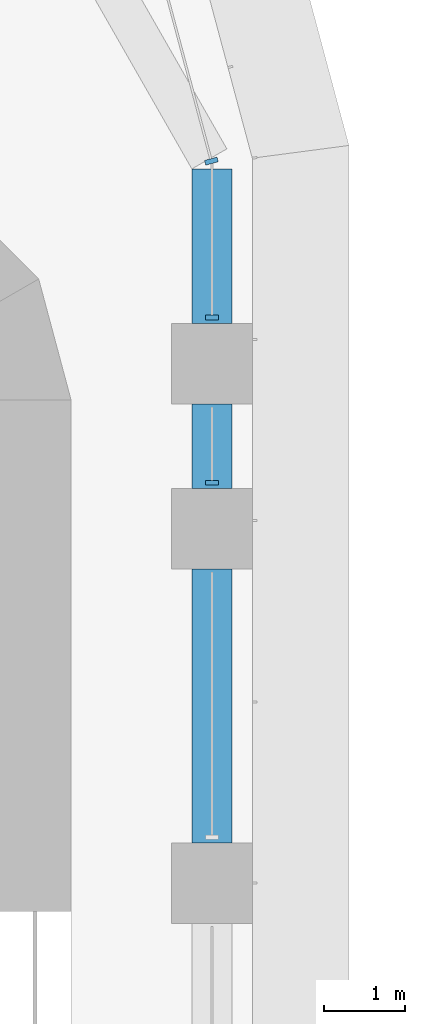
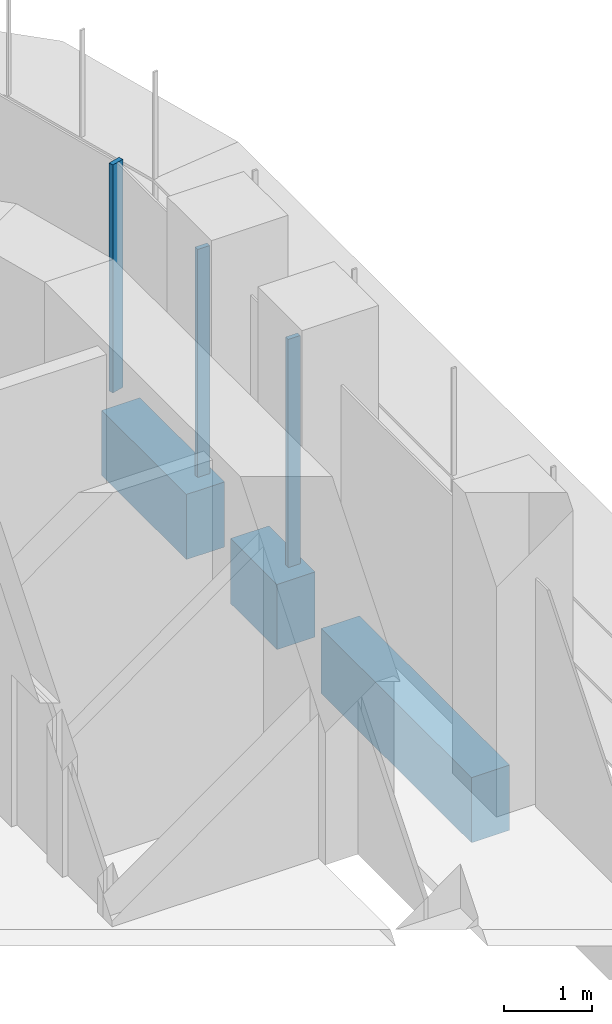
# One storey, part 10 of 23: 3 beams, 3 members, 2 elements without a shape of their own.
"""IFC4 building model written with IfcOpenShell, lengths in metres."""

import ifcopenshell
import ifcopenshell.guid

model = None  # the IFC model being written
_history = None  # IfcOwnerHistory: only IFC2X3 demands one
_inside = {}  # id of a spatial element -> (the spatial element, [elements in it])
_under = {}  # id of a project, library or spatial element -> (it, [spatial elements below it])
_declared = {}  # id of a project -> (the project, [libraries it declares])
_typed = {}  # id of a type object -> (the type object, [elements of that type])
_made_of = {}  # id of a material, layer set ... -> (it, [elements and type objects made of it])


def new_model(schema):
    """Start an empty IFC model of exactly this schema.

    Asked for "IFC4X3", IfcOpenShell would pick the latest addendum, in which some entities
    have other attributes; the version numbers below select the first issue.
    IFC2X3 requires an IfcOwnerHistory on every rooted entity: one is made here for all.
    """
    global model, _history
    if schema == "IFC4X3":
        model = ifcopenshell.file(schema_version=(4, 3, 0, 0))
    else:
        model = ifcopenshell.file(schema=schema)
    _inside.clear()
    _under.clear()
    _declared.clear()
    _typed.clear()
    _made_of.clear()
    _history = None
    if model.schema == "IFC2X3":
        org = make("IfcOrganization", Name="unknown")
        user = make(
            "IfcPersonAndOrganization",
            ThePerson=make("IfcPerson", FamilyName="unknown"),
            TheOrganization=org,
        )
        app = make(
            "IfcApplication",
            ApplicationDeveloper=org,
            Version="unknown",
            ApplicationFullName="unknown",
            ApplicationIdentifier="unknown",
        )
        _history = make(
            "IfcOwnerHistory",
            OwningUser=user,
            OwningApplication=app,
            ChangeAction="ADDED",
            CreationDate=0,
        )
    return model


def make(cls, **values):
    """One entity of the class cls with the attributes given. An attribute that is None is left unset."""
    return model.create_entity(
        cls, **{name: value for name, value in values.items() if value is not None}
    )


def rooted(cls, **values):
    """An entity with a GlobalId (a new one), such as an element, a storey or a relation."""
    return make(cls, GlobalId=ifcopenshell.guid.new(), OwnerHistory=_history, **values)


def si_unit(unit_type, name, prefix=None):
    """IfcSIUnit, for example si_unit("LENGTHUNIT", "METRE", prefix="MILLI")."""
    return make("IfcSIUnit", UnitType=unit_type, Prefix=prefix, Name=name)


def assignment(units):
    """IfcUnitAssignment: the units of a project."""
    return None if units is None else make("IfcUnitAssignment", Units=units)


def point(xyz):
    """IfcCartesianPoint."""
    return None if xyz is None else make("IfcCartesianPoint", Coordinates=xyz)


def direction(xyz):
    """IfcDirection."""
    return None if xyz is None else make("IfcDirection", DirectionRatios=xyz)


def frame(location, z_axis=None, x_axis=None):
    """IfcAxis2Placement3D, a coordinate frame: its origin and axes. An axis left out is left unset."""
    return make(
        "IfcAxis2Placement3D",
        Location=point(location),
        Axis=direction(z_axis),
        RefDirection=direction(x_axis),
    )


def frame_2d(location, x_axis=None):
    """IfcAxis2Placement2D, a coordinate frame in the plane: its origin and x axis."""
    return make(
        "IfcAxis2Placement2D", Location=point(location), RefDirection=direction(x_axis)
    )


def origin():
    """The frame at (0, 0, 0) with its axes left unset."""
    return frame((0.0, 0.0, 0.0))


def origin_2d():
    """The frame at (0, 0) in the plane with its x axis left unset."""
    return frame_2d((0.0, 0.0))


def place(relative_to, where):
    """IfcLocalPlacement: puts the frame where relative to a parent placement (None: the world)."""
    return make(
        "IfcLocalPlacement", PlacementRelTo=relative_to, RelativePlacement=where
    )


def context(
    kind, dimensions, precision=None, world=None, true_north=None, identifier=None
):
    """IfcGeometricRepresentationContext, for example the 3D "Model" context."""
    return make(
        "IfcGeometricRepresentationContext",
        ContextIdentifier=identifier,
        ContextType=kind,
        CoordinateSpaceDimension=dimensions,
        Precision=precision,
        WorldCoordinateSystem=world,
        TrueNorth=true_north,
    )


def subcontext(parent, identifier, kind, view, scale=None):
    """IfcGeometricRepresentationSubContext, for example "Body" below "Model"."""
    return make(
        "IfcGeometricRepresentationSubContext",
        ContextIdentifier=identifier,
        ContextType=kind,
        ParentContext=parent,
        TargetScale=scale,
        TargetView=view,
    )


def project(units=None, contexts=None):
    """IfcProject with its units and contexts."""
    return rooted(
        "IfcProject",
        Name="project",
        RepresentationContexts=contexts,
        UnitsInContext=assignment(units),
    )


def spatial(cls, under=None, at=None, **own):
    """A site, building, storey or space (cls), placed at a placement, below another one or the project."""
    s = rooted(cls, ObjectPlacement=at, **own)
    if under is not None:
        _under.setdefault(under.id(), (under, []))[1].append(s)
    return s


def polyline(points):
    """IfcPolyline through the points."""
    return make("IfcPolyline", Points=[point(p) for p in points])


def profile(cls, at=None, kind="AREA", **sizes):
    """A parametric profile (cls). Its sizes go by their IFC names, for example OverallWidth=200.0."""
    return make(cls, ProfileType=kind, Position=at, **sizes)


def rectangle(**sizes):
    """IfcRectangleProfileDef."""
    return profile("IfcRectangleProfileDef", **sizes)


def outline(outer, holes=None, kind="AREA"):
    """IfcArbitraryClosedProfileDef: a profile drawn as a closed curve; with holes, ...WithVoids."""
    if holes is None:
        return make("IfcArbitraryClosedProfileDef", ProfileType=kind, OuterCurve=outer)
    return make(
        "IfcArbitraryProfileDefWithVoids",
        ProfileType=kind,
        OuterCurve=outer,
        InnerCurves=holes,
    )


def extrude(swept, where, along, depth):
    """IfcExtrudedAreaSolid: the profile swept, set in the frame where, extruded along a direction by depth."""
    return make(
        "IfcExtrudedAreaSolid",
        SweptArea=swept,
        Position=where,
        ExtrudedDirection=direction(along),
        Depth=depth,
    )


def shape(context_of_items, identifier, shape_type, items):
    """IfcShapeRepresentation: the items that make up one representation, for example the "Body"."""
    return make(
        "IfcShapeRepresentation",
        ContextOfItems=context_of_items,
        RepresentationIdentifier=identifier,
        RepresentationType=shape_type,
        Items=items,
    )


def source(mapping_origin, context_of_items, identifier, shape_type, items):
    """IfcRepresentationMap: a shape defined once, which mapped items show again and again."""
    return make(
        "IfcRepresentationMap",
        MappingOrigin=mapping_origin,
        MappedRepresentation=shape(context_of_items, identifier, shape_type, items),
    )


def transform(
    local_origin,
    x_axis=None,
    y_axis=None,
    z_axis=None,
    scale=None,
    scale2=None,
    scale3=None,
    uniform=True,
):
    """IfcCartesianTransformationOperator3D, or its non-uniform kind. x_axis, y_axis, z_axis: its Axis1, 2, 3."""
    if uniform:
        return make(
            "IfcCartesianTransformationOperator3D",
            Axis1=direction(x_axis),
            Axis2=direction(y_axis),
            LocalOrigin=point(local_origin),
            Scale=scale,
            Axis3=direction(z_axis),
        )
    return make(
        "IfcCartesianTransformationOperator3DnonUniform",
        Axis1=direction(x_axis),
        Axis2=direction(y_axis),
        LocalOrigin=point(local_origin),
        Scale=scale,
        Axis3=direction(z_axis),
        Scale2=scale2,
        Scale3=scale3,
    )


def mapped(mapping_source, mapping_target):
    """IfcMappedItem: shows the shape of a source again, moved by a transform."""
    return make(
        "IfcMappedItem", MappingSource=mapping_source, MappingTarget=mapping_target
    )


def material(Name=None, Category=None):
    """IfcMaterial."""
    return make("IfcMaterial", Name=Name, Category=Category)


def material_profile(
    of_material, cross_section, Name=None, Category=None, Priority=None
):
    """IfcMaterialProfile: a cross section and its material."""
    return make(
        "IfcMaterialProfile",
        Name=Name,
        Material=of_material,
        Profile=cross_section,
        Priority=Priority,
        Category=Category,
    )


def profile_set(profiles, Name=None, composite=None):
    """IfcMaterialProfileSet."""
    return make(
        "IfcMaterialProfileSet",
        Name=Name,
        MaterialProfiles=profiles,
        CompositeProfile=composite,
    )


def made_of(thing, what):
    """Note that an element or type object is made of a material, layer set ...; save() writes the relation."""
    if what is not None:
        _made_of.setdefault(what.id(), (what, []))[1].append(thing)
    return thing


def type_object(cls, material=None, **own):
    """A type object (cls), such as IfcWallType, which elements share."""
    return made_of(rooted(cls, **own), material)


def element(
    cls,
    number,
    at=None,
    inside=None,
    cuts=None,
    type_object=None,
    material=None,
    context=None,
    identifier="Body",
    shape_type=None,
    held_by="IfcProductDefinitionShape",
    body=None,
    shapes=None,
    **own,
):
    """One element of the class cls, such as IfcWall. Its Tag is "e" and its number.

    at: its placement. inside: the storey or other place that contains it. cuts: it is an
    opening in that element (IfcRelVoidsElement). A single representation is given by context,
    identifier, shape_type and body (its items); several are given by shapes. held_by: the class
    of the entity that holds the representations. save() writes the other relations.
    """
    e = rooted(cls, Tag="e%d" % number, ObjectPlacement=at, **own)
    if body is not None:
        shapes = [shape(context, identifier, shape_type, body)]
    if shapes is not None:
        e.Representation = make(held_by, Representations=shapes)
    if inside is not None:
        _inside.setdefault(inside.id(), (inside, []))[1].append(e)
    if cuts is not None:
        rooted(
            "IfcRelVoidsElement", RelatingBuildingElement=cuts, RelatedOpeningElement=e
        )
    if type_object is not None:
        _typed.setdefault(type_object.id(), (type_object, []))[1].append(e)
    return made_of(e, material)


def aggregate(whole, parts):
    """IfcRelAggregates: a whole, such as a stair, and the parts it consists of."""
    return rooted("IfcRelAggregates", RelatingObject=whole, RelatedObjects=parts)


def save(model, path):
    """Write the relations noted so far, then the file.

    IfcRelAggregates (storeys below a building ...), IfcRelContainedInSpatialStructure (elements
    in a storey), IfcRelDefinesByType, IfcRelAssociatesMaterial and IfcRelDeclares: one each for
    every whole, place, type object, material and project.
    """
    for whole, parts in _under.values():
        aggregate(whole, parts)
    for where, things in _inside.values():
        rooted(
            "IfcRelContainedInSpatialStructure",
            RelatedElements=things,
            RelatingStructure=where,
        )
    for kind, things in _typed.values():
        rooted("IfcRelDefinesByType", RelatedObjects=things, RelatingType=kind)
    for what, things in _made_of.values():
        rooted("IfcRelAssociatesMaterial", RelatedObjects=things, RelatingMaterial=what)
    for by, libraries in _declared.values():
        rooted("IfcRelDeclares", RelatingContext=by, RelatedDefinitions=libraries)
    model.write(path)


model = new_model("IFC4")

# Units and contexts
model_context = context("Model", 3, precision=1e-05, world=origin(), true_north=direction((0.0, 1.0)))
body_context = subcontext(model_context, "Body", "Model", "MODEL_VIEW")
ifc_project = project(units=[si_unit("LENGTHUNIT", "METRE"), si_unit("AREAUNIT", "SQUARE_METRE"), si_unit("VOLUMEUNIT", "CUBIC_METRE"), si_unit("PLANEANGLEUNIT", "RADIAN"), si_unit("MASSUNIT", "GRAM", prefix="KILO")], contexts=[model_context])

# Site, building, storey
site_placement = place(None, origin())
site = spatial("IfcSite", under=ifc_project, at=site_placement, CompositionType="ELEMENT")
building_placement = place(site_placement, origin())
building = spatial("IfcBuilding", under=site, at=building_placement, Name="Zarbagh Exchange Tower", CompositionType="ELEMENT")
storey_placement = place(building_placement, frame((0.0, 0.0, 77.39990234375)))
storey = spatial("IfcBuildingStorey", under=building, at=storey_placement, Name="L17", CompositionType="ELEMENT", Elevation=77.39990234375)

# Beams
ifc_material_1 = material(Name="Concrete C60/75", Category="concrete")
ifc_material_profile = material_profile(ifc_material_1, rectangle(XDim=0.5, YDim=0.89990234375, at=origin_2d()), Name="RC spandrel beam 500 x 900 C60/75")
ifc_profile_set = profile_set([ifc_material_profile], Name="Concrete C60/75")
beam_type = type_object("IfcBeamType", Name="RC spandrel beam 500 x 900 C60/75", PredefinedType="SPANDREL", material=ifc_profile_set)
beam_1_placement = place(storey_placement, frame((6.25, 29.117919921875, -0.599853515625), z_axis=(0.0, -1.0, 0.0), x_axis=(1.0, 0.0, 0.0)))
element("IfcBeam", 1, at=beam_1_placement, inside=storey, type_object=beam_type, Name="RC spandrel beam", PredefinedType="SPANDREL", context=body_context, shape_type="SweptSolid", body=[
    extrude(rectangle(XDim=0.5, YDim=0.89990234375, at=origin_2d()), origin(), (0.0, 0.0, 1.0), 1.91796875),
])
beam_2_placement = place(storey_placement, frame((6.25, 26.199951171875, -0.599853515625), z_axis=(0.0, -1.0, 0.0), x_axis=(1.0, 0.0, 0.0)))
element("IfcBeam", 2, at=beam_2_placement, inside=storey, type_object=beam_type, Name="RC spandrel beam", PredefinedType="SPANDREL", context=body_context, shape_type="SweptSolid", body=[
    extrude(rectangle(XDim=0.5, YDim=0.89990234375, at=origin_2d()), origin(), (0.0, 0.0, 1.0), 1.050048828125),
])
beam_3_placement = place(storey_placement, frame((6.25, 24.14990234375, -0.599853515625), z_axis=(0.0, -1.0, 0.0), x_axis=(1.0, 0.0, 0.0)))
element("IfcBeam", 3, at=beam_3_placement, inside=storey, type_object=beam_type, Name="RC spandrel beam", PredefinedType="SPANDREL", context=body_context, shape_type="SweptSolid", body=[
    extrude(rectangle(XDim=0.5, YDim=0.89990234375, at=origin_2d()), origin(), (0.0, 0.0, 1.0), 3.39990234375),
])

# Curtain wall, members
ifc_material_2 = material(Name="Anodised aluminium frame and glazing", Category="aluminium")
curtain_wall_type = type_object("IfcCurtainWallType", Name="CWA Ribbon glazing, lower zones", PredefinedType="NOTDEFINED", material=ifc_material_2)
curtain_wall_1_placement = place(storey_placement, origin())
curtain_wall_1 = element("IfcCurtainWall", 4, at=curtain_wall_1_placement, inside=storey, type_object=curtain_wall_type, Name="CWA20 curtain wall", PredefinedType="NOTDEFINED")
ifc_material_3 = material(Name="Anodised aluminium frame", Category="aluminium")
member_type = type_object("IfcMemberType", Name="MUA Mullion, anodised aluminium frame", PredefinedType="MULLION", material=ifc_material_3)
shared_shape = source(origin(), body_context, "Body", "SweptSolid", [
    extrude(outline(polyline([(0.0, -0.080078125), (0.06005859375, -0.080078125), (0.06005859375, 0.080078125), (0.0, 0.080078125), (0.0, -0.080078125)])), origin(), (0.0, 0.0, 1.0), 3.14990234375),
])
placement = place(storey_placement, origin())
member_1 = element("IfcMember", 5, at=placement, type_object=member_type, Name="CWA20 mullion 4.1", PredefinedType="MULLION", context=body_context, shape_type="MappedRepresentation", body=[
    mapped(shared_shape, transform((6.25, 25.18994140625, 0.0), x_axis=(0.0, 1.0, 0.0), y_axis=(-1.0, 0.0, 0.0), z_axis=(0.0, 0.0, 1.0))),
])
member_2 = element("IfcMember", 6, at=placement, type_object=member_type, Name="CWA20 mullion 5.1", PredefinedType="MULLION", context=body_context, shape_type="MappedRepresentation", body=[
    mapped(shared_shape, transform((6.25, 27.239990234375, 0.0), x_axis=(0.0, 1.0, 0.0), y_axis=(-1.0, 0.0, 0.0), z_axis=(0.0, 0.0, 1.0))),
])
aggregate(curtain_wall_1, [member_1, member_2])

# Curtain wall, member
curtain_wall_2_placement = place(storey_placement, origin())
curtain_wall_2 = element("IfcCurtainWall", 7, at=curtain_wall_2_placement, inside=storey, type_object=curtain_wall_type, Name="CWA21 curtain wall", PredefinedType="NOTDEFINED")
member_3 = element("IfcMember", 8, at=placement, type_object=member_type, Name="CWA21 mullion 1.1", PredefinedType="MULLION", context=body_context, shape_type="MappedRepresentation", body=[
    mapped(shared_shape, transform((6.25, 29.18408203125, 0.0), x_axis=(-0.258824779902, 0.965924289636, 0.0), y_axis=(-0.965924289636, -0.258824779902, 0.0), z_axis=(0.0, 0.0, 1.0))),
])
aggregate(curtain_wall_2, [member_3])

save(model, "model.ifc")
